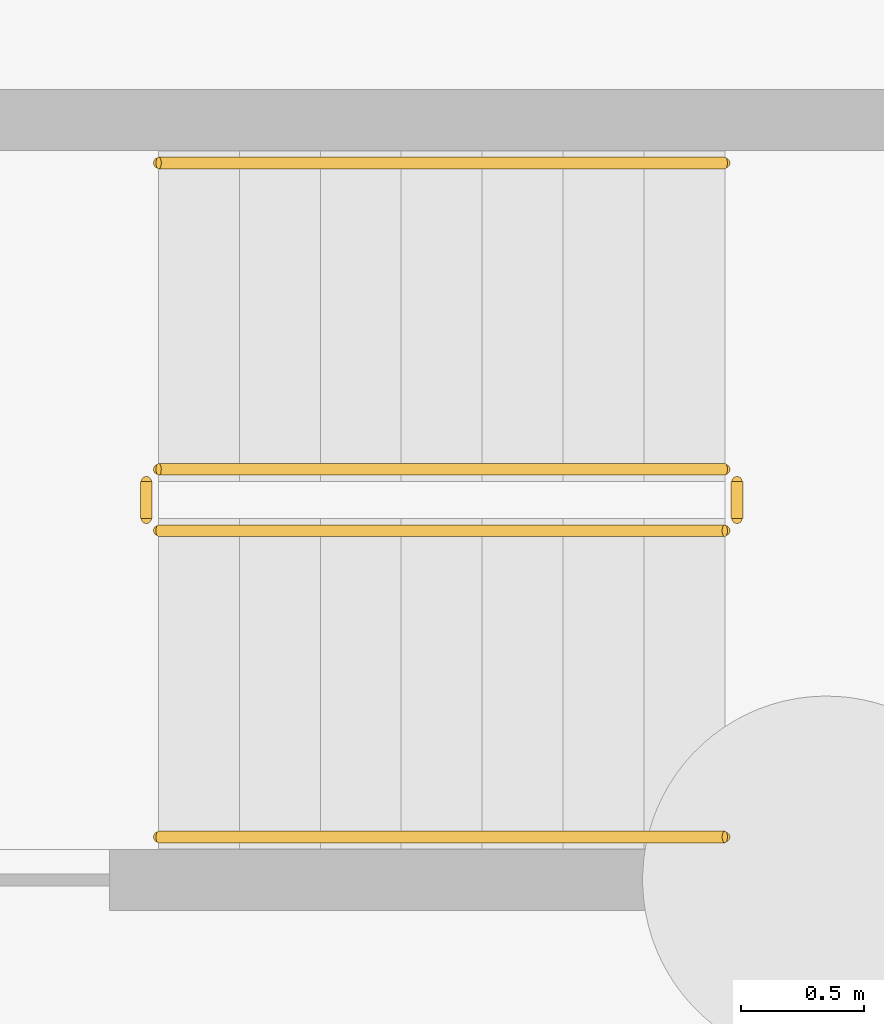
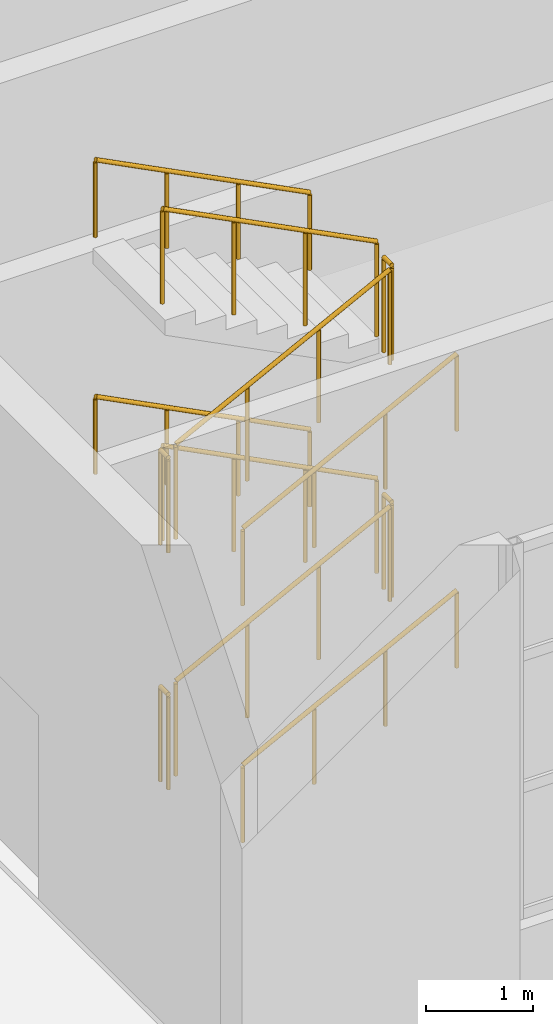
# One storey, part 145 of 168: 12 railings.
"""IFC4 building model written with IfcOpenShell, lengths in metres."""

from ifc_helpers import new_model, si_unit, direction, frame, origin, origin_2d, place, context, subcontext, project, spatial, circle, extrude, material, type_object, element, save


model = new_model("IFC4")

# Units and contexts
model_context = context("Model", 3, precision=1e-05, world=origin(), true_north=direction((0.0, 1.0)))
body_context = subcontext(model_context, "Body", "Model", "MODEL_VIEW")
ifc_project = project(units=[si_unit("LENGTHUNIT", "METRE"), si_unit("AREAUNIT", "SQUARE_METRE"), si_unit("VOLUMEUNIT", "CUBIC_METRE"), si_unit("PLANEANGLEUNIT", "RADIAN"), si_unit("MASSUNIT", "GRAM", prefix="KILO")], contexts=[model_context])

# Site, building, storey
site_placement = place(None, origin())
site = spatial("IfcSite", under=ifc_project, at=site_placement, CompositionType="ELEMENT")
building_placement = place(site_placement, origin())
building = spatial("IfcBuilding", under=site, at=building_placement, Name="Golden Quay Civic Hall", CompositionType="ELEMENT")
storey_placement = place(building_placement, origin())
storey = spatial("IfcBuildingStorey", under=building, at=storey_placement, Name="L00", CompositionType="ELEMENT", Elevation=0.0)

# Railings
ifc_material_1 = material(Name="Steel S355", Category="steel")
railing_type_1 = type_object("IfcRailingType", Name="Steel guard 1100", PredefinedType="GUARDRAIL", material=ifc_material_1)
railing_1_placement = place(storey_placement, frame((64.800048828125, 67.5, 0.168701171875)))
element("IfcRailing", 1, at=railing_1_placement, inside=storey, type_object=railing_type_1, Name="L00 CB-SW stair guard 1", PredefinedType="GUARDRAIL", context=body_context, shape_type="SweptSolid", body=[
    extrude(circle(Radius=0.02392578125, at=origin_2d()), frame((0.0, 0.0, 1.076171875), z_axis=(0.89032534587, 0.0, 0.45532491531), x_axis=(0.0, 1.0, 0.0)), (0.0, 0.0, 1.0), 2.5947265625),
    extrude(circle(Radius=0.02099609375, at=origin_2d()), origin(), (0.0, 0.0, 1.0), 1.052001953125),
    extrude(circle(Radius=0.02099609375, at=origin_2d()), frame((0.77001953125, 0.0, 0.393798828125)), (0.0, 0.0, 1.0), 1.052001953125),
    extrude(circle(Radius=0.02099609375, at=origin_2d()), frame((1.5400390625, 0.0, 0.78759765625)), (0.0, 0.0, 1.0), 1.052001953125),
    extrude(circle(Radius=0.02099609375, at=origin_2d()), frame((2.31005859375, 0.0, 1.181396484375)), (0.0, 0.0, 1.0), 1.052001953125),
])
railing_2_placement = place(storey_placement, frame((67.159912109375, 67.550048828125, 1.35009765625)))
element("IfcRailing", 2, at=railing_2_placement, inside=storey, type_object=railing_type_1, Name="L00 CB-SW stair guard 2", PredefinedType="GUARDRAIL", context=body_context, shape_type="SweptSolid", body=[
    extrude(circle(Radius=0.02392578125, at=origin_2d()), frame((0.0, 0.0, 1.076171875), z_axis=(0.0, 1.0, 0.0), x_axis=(-1.0, 0.0, 0.0)), (0.0, 0.0, 1.0), 0.14990234375),
    extrude(circle(Radius=0.02099609375, at=origin_2d()), origin(), (0.0, 0.0, 1.0), 1.052001953125),
    extrude(circle(Radius=0.02099609375, at=origin_2d()), frame((0.0, 0.14990234375, 0.0)), (0.0, 0.0, 1.0), 1.052001953125),
])
railing_3_placement = place(storey_placement, frame((67.110107421875, 67.75, 1.518798828125)))
element("IfcRailing", 3, at=railing_3_placement, inside=storey, type_object=railing_type_1, Name="L00 CB-SW stair guard 3", PredefinedType="GUARDRAIL", context=body_context, shape_type="SweptSolid", body=[
    extrude(circle(Radius=0.02392578125, at=origin_2d()), frame((0.0, 0.0, 1.076171875), z_axis=(-0.890363489232, 0.0, 0.455250323495), x_axis=(0.0, -1.0, 0.0)), (0.0, 0.0, 1.0), 2.594482421875),
    extrude(circle(Radius=0.02099609375, at=origin_2d()), origin(), (0.0, 0.0, 1.0), 1.052001953125),
    extrude(circle(Radius=0.02099609375, at=origin_2d()), frame((-0.77001953125, 0.0, 0.393798828125)), (0.0, 0.0, 1.0), 1.052001953125),
    extrude(circle(Radius=0.02099609375, at=origin_2d()), frame((-1.5400390625, 0.0, 0.787353515625)), (0.0, 0.0, 1.0), 1.052001953125),
    extrude(circle(Radius=0.02099609375, at=origin_2d()), frame((-2.31005859375, 0.0, 1.18115234375)), (0.0, 0.0, 1.0), 1.052001953125),
])
railing_4_placement = place(storey_placement, frame((64.75, 67.550048828125, 2.699951171875)))
element("IfcRailing", 4, at=railing_4_placement, inside=storey, type_object=railing_type_1, Name="L00 CB-SW stair guard 4", PredefinedType="GUARDRAIL", context=body_context, shape_type="SweptSolid", body=[
    extrude(circle(Radius=0.02392578125, at=origin_2d()), frame((0.0, 0.0, 1.076171875), z_axis=(0.0, 1.0, 0.0), x_axis=(-1.0, 0.0, 0.0)), (0.0, 0.0, 1.0), 0.14990234375),
    extrude(circle(Radius=0.02099609375, at=origin_2d()), origin(), (0.0, 0.0, 1.0), 1.052001953125),
    extrude(circle(Radius=0.02099609375, at=origin_2d()), frame((0.0, 0.14990234375, 0.0)), (0.0, 0.0, 1.0), 1.052001953125),
])
railing_5_placement = place(storey_placement, frame((64.800048828125, 67.5, 2.86865234375)))
element("IfcRailing", 5, at=railing_5_placement, inside=storey, type_object=railing_type_1, Name="L00 CB-SW stair guard 5", PredefinedType="GUARDRAIL", context=body_context, shape_type="SweptSolid", body=[
    extrude(circle(Radius=0.02392578125, at=origin_2d()), frame((0.0, 0.0, 1.076171875), z_axis=(0.89032534587, 0.0, 0.45532491531), x_axis=(0.0, 1.0, 0.0)), (0.0, 0.0, 1.0), 2.5947265625),
    extrude(circle(Radius=0.02099609375, at=origin_2d()), origin(), (0.0, 0.0, 1.0), 1.052001953125),
    extrude(circle(Radius=0.02099609375, at=origin_2d()), frame((0.77001953125, 0.0, 0.393798828125)), (0.0, 0.0, 1.0), 1.052001953125),
    extrude(circle(Radius=0.02099609375, at=origin_2d()), frame((1.5400390625, 0.0, 0.78759765625)), (0.0, 0.0, 1.0), 1.052001953125),
    extrude(circle(Radius=0.02099609375, at=origin_2d()), frame((2.31005859375, 0.0, 1.181396484375)), (0.0, 0.0, 1.0), 1.052001953125),
])
railing_6_placement = place(storey_placement, frame((67.159912109375, 67.550048828125, 4.050048828125)))
element("IfcRailing", 6, at=railing_6_placement, inside=storey, type_object=railing_type_1, Name="L00 CB-SW stair guard 6", PredefinedType="GUARDRAIL", context=body_context, shape_type="SweptSolid", body=[
    extrude(circle(Radius=0.02392578125, at=origin_2d()), frame((0.0, 0.0, 1.076171875), z_axis=(0.0, 1.0, 0.0), x_axis=(-1.0, 0.0, 0.0)), (0.0, 0.0, 1.0), 0.14990234375),
    extrude(circle(Radius=0.02099609375, at=origin_2d()), origin(), (0.0, 0.0, 1.0), 1.052001953125),
    extrude(circle(Radius=0.02099609375, at=origin_2d()), frame((0.0, 0.14990234375, 0.0)), (0.0, 0.0, 1.0), 1.052001953125),
])
railing_7_placement = place(storey_placement, frame((67.110107421875, 67.75, 4.21875)))
element("IfcRailing", 7, at=railing_7_placement, inside=storey, type_object=railing_type_1, Name="L00 CB-SW stair guard 7", PredefinedType="GUARDRAIL", context=body_context, shape_type="SweptSolid", body=[
    extrude(circle(Radius=0.02392578125, at=origin_2d()), frame((0.0, 0.0, 1.076171875), z_axis=(-0.890363489232, 0.0, 0.455250323495), x_axis=(0.0, -1.0, 0.0)), (0.0, 0.0, 1.0), 2.594482421875),
    extrude(circle(Radius=0.02099609375, at=origin_2d()), origin(), (0.0, 0.0, 1.0), 1.052001953125),
    extrude(circle(Radius=0.02099609375, at=origin_2d()), frame((-0.77001953125, 0.0, 0.393798828125)), (0.0, 0.0, 1.0), 1.052001953125),
    extrude(circle(Radius=0.02099609375, at=origin_2d()), frame((-1.5400390625, 0.0, 0.787353515625)), (0.0, 0.0, 1.0), 1.052001953125),
    extrude(circle(Radius=0.02099609375, at=origin_2d()), frame((-2.31005859375, 0.0, 1.18115234375)), (0.0, 0.0, 1.0), 1.052001953125),
])
railing_8_placement = place(storey_placement, frame((64.75, 67.550048828125, 0.0)))
element("IfcRailing", 8, at=railing_8_placement, inside=storey, type_object=railing_type_1, Name="L00 CB-SW stair guard 8", PredefinedType="GUARDRAIL", context=body_context, shape_type="SweptSolid", body=[
    extrude(circle(Radius=0.02392578125, at=origin_2d()), frame((0.0, 0.0, 1.076171875), z_axis=(0.0, 1.0, 0.0), x_axis=(-1.0, 0.0, 0.0)), (0.0, 0.0, 1.0), 0.14990234375),
    extrude(circle(Radius=0.02099609375, at=origin_2d()), origin(), (0.0, 0.0, 1.0), 1.052001953125),
    extrude(circle(Radius=0.02099609375, at=origin_2d()), frame((0.0, 0.14990234375, 0.0)), (0.0, 0.0, 1.0), 1.052001953125),
])
ifc_material_2 = material(Name="Steel S355", Category="steel")
railing_type_2 = type_object("IfcRailingType", Name="Steel handrail 900", PredefinedType="HANDRAIL", material=ifc_material_2)
railing_9_placement = place(storey_placement, frame((64.800048828125, 66.25, 0.168701171875)))
element("IfcRailing", 9, at=railing_9_placement, inside=storey, type_object=railing_type_2, Name="L00 CB-SW stair handrail 1", PredefinedType="HANDRAIL", context=body_context, shape_type="SweptSolid", body=[
    extrude(circle(Radius=0.02392578125, at=origin_2d()), frame((0.0, 0.0, 0.8759765625), z_axis=(0.89032534587, 0.0, 0.45532491531), x_axis=(0.0, 1.0, 0.0)), (0.0, 0.0, 1.0), 2.5947265625),
    extrude(circle(Radius=0.02099609375, at=origin_2d()), origin(), (0.0, 0.0, 1.0), 0.851806640625),
    extrude(circle(Radius=0.02099609375, at=origin_2d()), frame((0.77001953125, 0.0, 0.393798828125)), (0.0, 0.0, 1.0), 0.851806640625),
    extrude(circle(Radius=0.02099609375, at=origin_2d()), frame((1.5400390625, 0.0, 0.78759765625)), (0.0, 0.0, 1.0), 0.851806640625),
    extrude(circle(Radius=0.02099609375, at=origin_2d()), frame((2.31005859375, 0.0, 1.181396484375)), (0.0, 0.0, 1.0), 0.851806640625),
])
railing_10_placement = place(storey_placement, frame((67.110107421875, 69.0, 1.518798828125)))
element("IfcRailing", 10, at=railing_10_placement, inside=storey, type_object=railing_type_2, Name="L00 CB-SW stair handrail 2", PredefinedType="HANDRAIL", context=body_context, shape_type="SweptSolid", body=[
    extrude(circle(Radius=0.02392578125, at=origin_2d()), frame((0.0, 0.0, 0.8759765625), z_axis=(-0.890363489232, 0.0, 0.455250323495), x_axis=(0.0, -1.0, 0.0)), (0.0, 0.0, 1.0), 2.594482421875),
    extrude(circle(Radius=0.02099609375, at=origin_2d()), origin(), (0.0, 0.0, 1.0), 0.851806640625),
    extrude(circle(Radius=0.02099609375, at=origin_2d()), frame((-0.77001953125, 0.0, 0.393798828125)), (0.0, 0.0, 1.0), 0.851806640625),
    extrude(circle(Radius=0.02099609375, at=origin_2d()), frame((-1.5400390625, 0.0, 0.787353515625)), (0.0, 0.0, 1.0), 0.851806640625),
    extrude(circle(Radius=0.02099609375, at=origin_2d()), frame((-2.31005859375, 0.0, 1.18115234375)), (0.0, 0.0, 1.0), 0.851806640625),
])
railing_11_placement = place(storey_placement, frame((64.800048828125, 66.25, 2.86865234375)))
element("IfcRailing", 11, at=railing_11_placement, inside=storey, type_object=railing_type_2, Name="L00 CB-SW stair handrail 3", PredefinedType="HANDRAIL", context=body_context, shape_type="SweptSolid", body=[
    extrude(circle(Radius=0.02392578125, at=origin_2d()), frame((0.0, 0.0, 0.8759765625), z_axis=(0.89032534587, 0.0, 0.45532491531), x_axis=(0.0, 1.0, 0.0)), (0.0, 0.0, 1.0), 2.5947265625),
    extrude(circle(Radius=0.02099609375, at=origin_2d()), origin(), (0.0, 0.0, 1.0), 0.851806640625),
    extrude(circle(Radius=0.02099609375, at=origin_2d()), frame((0.77001953125, 0.0, 0.393798828125)), (0.0, 0.0, 1.0), 0.851806640625),
    extrude(circle(Radius=0.02099609375, at=origin_2d()), frame((1.5400390625, 0.0, 0.78759765625)), (0.0, 0.0, 1.0), 0.851806640625),
    extrude(circle(Radius=0.02099609375, at=origin_2d()), frame((2.31005859375, 0.0, 1.181396484375)), (0.0, 0.0, 1.0), 0.851806640625),
])
railing_12_placement = place(storey_placement, frame((67.110107421875, 69.0, 4.21875)))
element("IfcRailing", 12, at=railing_12_placement, inside=storey, type_object=railing_type_2, Name="L00 CB-SW stair handrail 4", PredefinedType="HANDRAIL", context=body_context, shape_type="SweptSolid", body=[
    extrude(circle(Radius=0.02392578125, at=origin_2d()), frame((0.0, 0.0, 0.8759765625), z_axis=(-0.890363489232, 0.0, 0.455250323495), x_axis=(0.0, -1.0, 0.0)), (0.0, 0.0, 1.0), 2.594482421875),
    extrude(circle(Radius=0.02099609375, at=origin_2d()), origin(), (0.0, 0.0, 1.0), 0.851806640625),
    extrude(circle(Radius=0.02099609375, at=origin_2d()), frame((-0.77001953125, 0.0, 0.393798828125)), (0.0, 0.0, 1.0), 0.851806640625),
    extrude(circle(Radius=0.02099609375, at=origin_2d()), frame((-1.5400390625, 0.0, 0.787353515625)), (0.0, 0.0, 1.0), 0.851806640625),
    extrude(circle(Radius=0.02099609375, at=origin_2d()), frame((-2.31005859375, 0.0, 1.18115234375)), (0.0, 0.0, 1.0), 0.851806640625),
])

save(model, "model.ifc")
